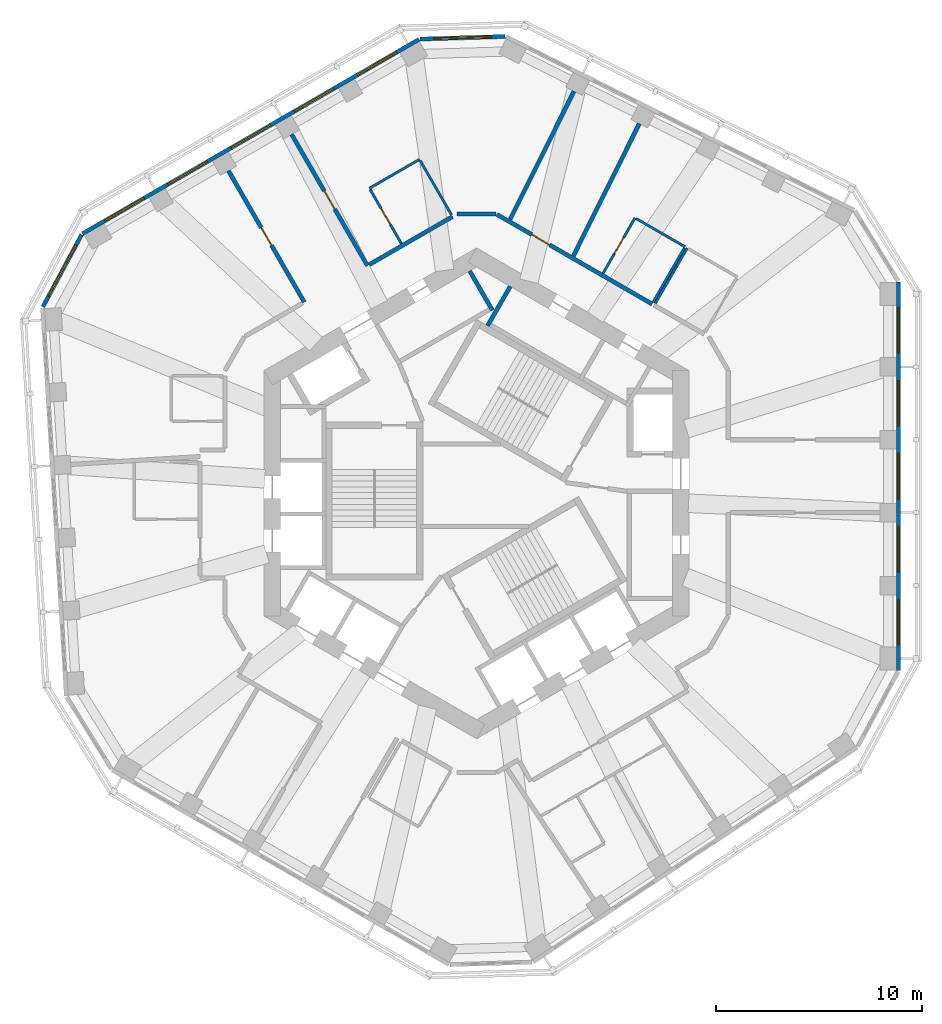
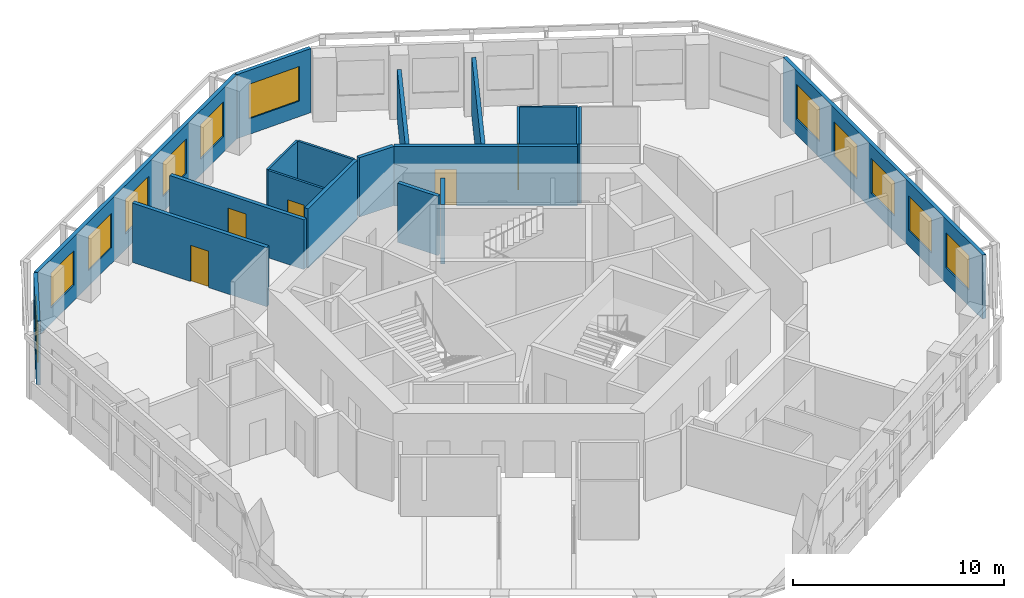
# One storey, part 7 of 11: 20 walls, 12 windows, 5 doors, 17 openings.
"""IFC4 building model written with IfcOpenShell, lengths in metres."""

from ifc_helpers import new_model, si_unit, direction, frame, frame_2d, origin, place, context, subcontext, project, spatial, rectangle, extrude, material, layer, layer_set, type_object, element, fill, save


model = new_model("IFC4")

# Units and contexts
model_context = context("Model", 3, precision=1e-05, world=origin(), true_north=direction((0.0, 1.0)))
body_context = subcontext(model_context, "Body", "Model", "MODEL_VIEW")
ifc_project = project(units=[si_unit("LENGTHUNIT", "METRE"), si_unit("AREAUNIT", "SQUARE_METRE"), si_unit("VOLUMEUNIT", "CUBIC_METRE"), si_unit("PLANEANGLEUNIT", "RADIAN"), si_unit("MASSUNIT", "GRAM", prefix="KILO")], contexts=[model_context])

# Site, building, storey
site_placement = place(None, origin())
site = spatial("IfcSite", under=ifc_project, at=site_placement, CompositionType="ELEMENT")
building_placement = place(site_placement, origin())
building = spatial("IfcBuilding", under=site, at=building_placement, Name="Vanh Sen Convention Tower", CompositionType="ELEMENT")
storey_placement = place(building_placement, frame((0.0, 0.0, 236.5)))
storey = spatial("IfcBuildingStorey", under=building, at=storey_placement, Name="L58", CompositionType="ELEMENT", Elevation=236.5)

# Wall
ifc_material_1 = material(Name="Moisture-resistant gypsum board on steel studs", Category="steel")
ifc_layer_1 = layer(ifc_material_1, 0.1201171875)
ifc_layer_set_1 = layer_set([ifc_layer_1], Name="Moisture-resistant gypsum board on steel studs")
wall_type_1 = type_object("IfcWallType", Name="Bathroom partition 120", PredefinedType="PARTITIONING", material=ifc_layer_set_1)
wall_1_placement = place(storey_placement, frame((-5.19140625, 14.78515625, 0.0), z_axis=(0.0, 0.0, 1.0), x_axis=(0.866034573852, 0.49998411664, 0.0)))
element("IfcWall", 1, at=wall_1_placement, inside=storey, type_object=wall_type_1, Name="Bathroom partition 120", PredefinedType="PARTITIONING", context=body_context, shape_type="SweptSolid", body=[
    extrude(rectangle(XDim=2.7998046875, YDim=0.1201171875, at=frame_2d((1.39990234375, 0.0))), origin(), (0.0, 0.0, 1.0), 3.419921875),
])

# Wall, opening, door
wall_2_placement = place(storey_placement, frame((-3.641357421875, 12.1005859375, 0.0), z_axis=(0.0, 0.0, 1.0), x_axis=(-0.500026023896, 0.86601037836, 0.0)))
wall_2 = element("IfcWall", 2, at=wall_2_placement, inside=storey, type_object=wall_type_1, Name="Bathroom partition 120", PredefinedType="PARTITIONING", context=body_context, shape_type="SweptSolid", body=[
    extrude(rectangle(XDim=3.039794921875, YDim=0.1201171875, at=frame_2d((1.52001953125, 0.0))), origin(), (0.0, 0.0, 1.0), 3.419921875),
])
opening_1_placement = place(wall_2_placement, frame((1.06982421875, 0.0, 0.0)))
opening_1 = element("IfcOpeningElement", 3, at=opening_1_placement, cuts=wall_2, Name="Opening D56106", PredefinedType="OPENING", context=body_context, shape_type="SweptSolid", body=[
    extrude(rectangle(XDim=0.89990234375, YDim=2.10009765625, at=frame_2d((0.449951171875, 1.050048828125))), frame((0.0, 0.070068359375, 0.0), z_axis=(0.0, -1.0, 0.0), x_axis=(1.0, 0.0, 0.0)), (0.0, 0.0, 1.0), 0.14013671875),
])
ifc_material_2 = material(Name="Laminate door in steel frame", Category="steel")
door_type_1 = type_object("IfcDoorType", Name="Room internal door 900", OperationType="SINGLE_SWING_LEFT", PredefinedType="DOOR", material=ifc_material_2)
door_1_placement = place(opening_1_placement, origin())
door_1 = element("IfcDoor", 4, at=door_1_placement, inside=storey, type_object=door_type_1, Name="Internal room door D56106", OperationType="SINGLE_SWING_LEFT", OverallHeight=2.10009765625, OverallWidth=0.89990234375, PredefinedType="DOOR", context=body_context, shape_type="SweptSolid", body=[
    extrude(rectangle(XDim=0.89990234375, YDim=2.10009765625, at=frame_2d((0.449951171875, 1.050048828125))), frame((0.0, 0.02490234375, 0.0), z_axis=(0.0, -1.0, 0.0), x_axis=(1.0, 0.0, 0.0)), (0.0, 0.0, 1.0), 0.050048828125),
])
fill(opening_1, door_1)

# Wall
wall_3_placement = place(storey_placement, frame((-2.736572265625, 16.133056640625, 0.0), z_axis=(0.0, 0.0, 1.0), x_axis=(0.500026023896, -0.86601037836, 0.0)))
element("IfcWall", 5, at=wall_3_placement, inside=storey, type_object=wall_type_1, Name="Bathroom partition 120", PredefinedType="PARTITIONING", context=body_context, shape_type="SweptSolid", body=[
    extrude(rectangle(XDim=3.039794921875, YDim=0.1201171875, at=frame_2d((1.52001953125, 0.0))), origin(), (0.0, 0.0, 1.0), 3.419921875),
])

# Wall, opening, door
wall_4_placement = place(storey_placement, frame((6.1298828125, 10.663818359375, 0.0), z_axis=(0.0, 0.0, 1.0), x_axis=(0.499967891604, 0.866043940782, 0.0)))
wall_4 = element("IfcWall", 6, at=wall_4_placement, inside=storey, type_object=wall_type_1, Name="Bathroom partition 120", PredefinedType="PARTITIONING", context=body_context, shape_type="SweptSolid", body=[
    extrude(rectangle(XDim=3.099853515625, YDim=0.1201171875, at=frame_2d((1.5498046875, 0.0))), origin(), (0.0, 0.0, 1.0), 3.419921875),
])
opening_2_placement = place(wall_4_placement, frame((1.10009765625, 0.0, 0.0)))
opening_2 = element("IfcOpeningElement", 7, at=opening_2_placement, cuts=wall_4, Name="Opening D56103", PredefinedType="OPENING", context=body_context, shape_type="SweptSolid", body=[
    extrude(rectangle(XDim=0.89990234375, YDim=2.10009765625, at=frame_2d((0.449951171875, 1.050048828125))), frame((0.0, 0.070068359375, 0.0), z_axis=(0.0, -1.0, 0.0), x_axis=(1.0, 0.0, 0.0)), (0.0, 0.0, 1.0), 0.14013671875),
])
door_2_placement = place(opening_2_placement, origin())
door_2 = element("IfcDoor", 8, at=door_2_placement, inside=storey, type_object=door_type_1, Name="Internal room door D56103", OperationType="SINGLE_SWING_LEFT", OverallHeight=2.10009765625, OverallWidth=0.89990234375, PredefinedType="DOOR", context=body_context, shape_type="SweptSolid", body=[
    extrude(rectangle(XDim=0.89990234375, YDim=2.10009765625, at=frame_2d((0.449951171875, 1.050048828125))), frame((0.0, 0.02490234375, 0.0), z_axis=(0.0, -1.0, 0.0), x_axis=(1.0, 0.0, 0.0)), (0.0, 0.0, 1.0), 0.050048828125),
])
fill(opening_2, door_2)

# Walls
wall_5_placement = place(storey_placement, frame((7.731689453125, 13.318359375, 0.0), z_axis=(0.0, 0.0, 1.0), x_axis=(0.866057988685, -0.499943557049, 0.0)))
element("IfcWall", 9, at=wall_5_placement, inside=storey, type_object=wall_type_1, Name="Bathroom partition 120", PredefinedType="PARTITIONING", context=body_context, shape_type="SweptSolid", body=[
    extrude(rectangle(XDim=2.739990234375, YDim=0.1201171875, at=frame_2d((1.3701171875, 0.0))), origin(), (0.0, 0.0, 1.0), 3.419921875),
])
wall_6_placement = place(storey_placement, frame((8.65869140625, 9.20361328125, 0.0), z_axis=(0.0, 0.0, 1.0), x_axis=(0.499933790963, 0.866063626216, 0.0)))
element("IfcWall", 10, at=wall_6_placement, inside=storey, type_object=wall_type_1, Name="Bathroom partition 120", PredefinedType="PARTITIONING", context=body_context, shape_type="SweptSolid", body=[
    extrude(rectangle(XDim=3.10009765625, YDim=0.1201171875, at=frame_2d((1.550048828125, 0.0))), origin(), (0.0, 0.0, 1.0), 3.419921875),
])
wall_7_placement = place(storey_placement, frame((10.07470703125, 11.896484375, 0.0), z_axis=(0.0, 0.0, 1.0), x_axis=(-0.499991248344, -0.866030456496, 0.0)))
element("IfcWall", 11, at=wall_7_placement, inside=storey, type_object=wall_type_1, Name="Bathroom partition 120", PredefinedType="PARTITIONING", context=body_context, shape_type="SweptSolid", body=[
    extrude(rectangle(XDim=3.0400390625, YDim=0.1201171875, at=frame_2d((1.52001953125, 0.0))), origin(), (0.0, 0.0, 1.0), 3.419921875),
])

# Wall, opening, door
ifc_material_3 = material(Name="Gypsum board on steel studs with mineral wool", Category="steel")
ifc_layer_2 = layer(ifc_material_3, 0.199951171875)
ifc_layer_set_2 = layer_set([ifc_layer_2], Name="Gypsum board on steel studs with mineral wool")
wall_type_2 = type_object("IfcWallType", Name="Corridor partition wall 200", PredefinedType="PARTITIONING", material=ifc_layer_set_2)
wall_8_placement = place(storey_placement, frame((-12.02490234375, 15.6318359375, 0.0), z_axis=(0.0, 0.0, 1.0), x_axis=(0.499983153418, -0.866035129944, 0.0)))
wall_8 = element("IfcWall", 12, at=wall_8_placement, inside=storey, type_object=wall_type_2, Name="Corridor partition wall 200", PredefinedType="PARTITIONING", context=body_context, shape_type="SweptSolid", body=[
    extrude(rectangle(XDim=7.349853515625, YDim=0.199951171875, at=frame_2d((3.6748046875, 0.0))), origin(), (0.0, 0.0, 1.0), 3.419921875),
])
opening_3_placement = place(wall_8_placement, frame((3.175048828125, 0.0, 0.0)))
opening_3 = element("IfcOpeningElement", 13, at=opening_3_placement, cuts=wall_8, Name="Opening D56107", PredefinedType="OPENING", context=body_context, shape_type="SweptSolid", body=[
    extrude(rectangle(XDim=1.0, YDim=2.10009765625, at=frame_2d((0.5, 1.050048828125))), frame((0.0, 0.10986328125, 0.0), z_axis=(0.0, -1.0, 0.0), x_axis=(1.0, 0.0, 0.0)), (0.0, 0.0, 1.0), 0.219970703125),
])
ifc_material_4 = material(Name="Glazed fire door in steel frame", Category="steel")
door_type_2 = type_object("IfcDoorType", Name="Tenant entrance door 1000", OperationType="SINGLE_SWING_LEFT", PredefinedType="DOOR", material=ifc_material_4)
door_3_placement = place(opening_3_placement, origin())
door_3 = element("IfcDoor", 14, at=door_3_placement, inside=storey, type_object=door_type_2, Name="Tenant suite entrance door D56107", OperationType="SINGLE_SWING_LEFT", OverallHeight=2.10009765625, OverallWidth=1.0, PredefinedType="DOOR", context=body_context, shape_type="SweptSolid", body=[
    extrude(rectangle(XDim=1.0, YDim=2.10009765625, at=frame_2d((0.5, 1.050048828125))), frame((0.0, 0.02490234375, 0.0), z_axis=(0.0, -1.0, 0.0), x_axis=(1.0, 0.0, 0.0)), (0.0, 0.0, 1.0), 0.050048828125),
])
fill(opening_3, door_3)

wall_9_placement = place(storey_placement, frame((-8.96484375, 17.398681640625, 0.0), z_axis=(0.0, 0.0, 1.0), x_axis=(0.499993683172, -0.866029050776, 0.0)))
wall_9 = element("IfcWall", 15, at=wall_9_placement, inside=storey, type_object=wall_type_2, Name="Corridor partition wall 200", PredefinedType="PARTITIONING", context=body_context, shape_type="SweptSolid", body=[
    extrude(rectangle(XDim=7.35009765625, YDim=0.199951171875, at=frame_2d((3.675048828125, 0.0))), origin(), (0.0, 0.0, 1.0), 2.8701171875),
])
opening_4_placement = place(wall_9_placement, frame((3.175048828125, 0.0, 0.0)))
opening_4 = element("IfcOpeningElement", 16, at=opening_4_placement, cuts=wall_9, Name="Opening D56105", PredefinedType="OPENING", context=body_context, shape_type="SweptSolid", body=[
    extrude(rectangle(XDim=1.0, YDim=2.10009765625, at=frame_2d((0.5, 1.050048828125))), frame((0.0, 0.10986328125, 0.0), z_axis=(0.0, -1.0, 0.0), x_axis=(1.0, 0.0, 0.0)), (0.0, 0.0, 1.0), 0.219970703125),
])
door_4_placement = place(opening_4_placement, origin())
door_4 = element("IfcDoor", 17, at=door_4_placement, inside=storey, type_object=door_type_2, Name="Tenant suite entrance door D56105", OperationType="SINGLE_SWING_LEFT", OverallHeight=2.10009765625, OverallWidth=1.0, PredefinedType="DOOR", context=body_context, shape_type="SweptSolid", body=[
    extrude(rectangle(XDim=1.0, YDim=2.10009765625, at=frame_2d((0.5, 1.050048828125))), frame((0.0, 0.02490234375, 0.0), z_axis=(0.0, -1.0, 0.0), x_axis=(1.0, 0.0, 0.0)), (0.0, 0.0, 1.0), 0.050048828125),
])
fill(opening_4, door_4)

# Walls
wall_10_placement = place(storey_placement, frame((-1.16650390625, 13.413818359375, 0.0), z_axis=(0.0, 0.0, 1.0), x_axis=(-0.866023347809, -0.500003561037, 0.0)))
element("IfcWall", 18, at=wall_10_placement, inside=storey, type_object=wall_type_2, Name="Corridor partition wall 200", PredefinedType="PARTITIONING", context=body_context, shape_type="SweptSolid", body=[
    extrude(rectangle(XDim=4.6611328125, YDim=0.199951171875, at=frame_2d((2.33056640625, 0.0))), origin(), (0.0, 0.0, 1.0), 3.419921875),
])
wall_11_placement = place(storey_placement, frame((0.949951171875, 13.538818359375, 0.0), z_axis=(0.0, 0.0, 1.0), x_axis=(-1.0, 0.0, 0.0)))
element("IfcWall", 19, at=wall_11_placement, inside=storey, type_object=wall_type_2, Name="Corridor partition wall 200", PredefinedType="PARTITIONING", context=body_context, shape_type="SweptSolid", body=[
    extrude(rectangle(XDim=1.89990234375, YDim=0.199951171875, at=frame_2d((0.949951171875, 0.0))), origin(), (0.0, 0.0, 1.0), 3.419921875),
])

# Wall, opening, door
wall_12_placement = place(storey_placement, frame((8.504638671875, 9.177001953125, 0.0), z_axis=(0.0, 0.0, 1.0), x_axis=(-0.866019839902, 0.500009636803, 0.0)))
wall_12 = element("IfcWall", 20, at=wall_12_placement, inside=storey, type_object=wall_type_2, Name="Corridor partition wall 200", PredefinedType="PARTITIONING", context=body_context, shape_type="SweptSolid", body=[
    extrude(rectangle(XDim=8.683349609375, YDim=0.199951171875, at=frame_2d((4.341796875, 0.0))), origin(), (0.0, 0.0, 1.0), 3.419921875),
])
opening_5_placement = place(wall_12_placement, frame((5.730224609375, 0.0, 0.0)))
opening_5 = element("IfcOpeningElement", 21, at=opening_5_placement, cuts=wall_12, Name="Opening D56104", PredefinedType="OPENING", context=body_context, shape_type="SweptSolid", body=[
    extrude(rectangle(XDim=1.0, YDim=2.10009765625, at=frame_2d((0.5, 1.050048828125))), frame((0.0, 0.10986328125, 0.0), z_axis=(0.0, -1.0, 0.0), x_axis=(1.0, 0.0, 0.0)), (0.0, 0.0, 1.0), 0.219970703125),
])
door_5_placement = place(opening_5_placement, origin())
door_5 = element("IfcDoor", 22, at=door_5_placement, inside=storey, type_object=door_type_2, Name="Tenant suite entrance door D56104", OperationType="SINGLE_SWING_LEFT", OverallHeight=2.10009765625, OverallWidth=1.0, PredefinedType="DOOR", context=body_context, shape_type="SweptSolid", body=[
    extrude(rectangle(XDim=1.0, YDim=2.10009765625, at=frame_2d((0.5, 1.050048828125))), frame((0.0, 0.02490234375, 0.0), z_axis=(0.0, -1.0, 0.0), x_axis=(1.0, 0.0, 0.0)), (0.0, 0.0, 1.0), 0.050048828125),
])
fill(opening_5, door_5)

# Wall, openings, windows
ifc_material_5 = material(Name="Insulated lightweight infill wall")
ifc_layer_3 = layer(ifc_material_5, 0.199951171875)
ifc_layer_set_3 = layer_set([ifc_layer_3], Name="Insulated lightweight infill wall")
wall_type_3 = type_object("IfcWallType", Name="External wall 200", PredefinedType="STANDARD", material=ifc_layer_set_3)
wall_13_placement = place(storey_placement, frame((20.449951171875, -8.590087890625, 0.0), z_axis=(0.0, 0.0, 1.0), x_axis=(0.0, 1.0, 0.0)))
wall_13 = element("IfcWall", 23, at=wall_13_placement, inside=storey, type_object=wall_type_3, Name="External wall E L58", PredefinedType="STANDARD", context=body_context, shape_type="SweptSolid", body=[
    extrude(rectangle(XDim=18.84130859375, YDim=0.199951171875, at=frame_2d((9.420654296875, 0.0))), origin(), (0.0, 0.0, 1.0), 3.699951171875),
])
opening_6_placement = place(wall_13_placement, frame((1.254150390625, 0.0, 0.89990234375)))
opening_6 = element("IfcOpeningElement", 24, at=opening_6_placement, cuts=wall_13, Name="Opening WO3-E1", PredefinedType="OPENING", context=body_context, shape_type="SweptSolid", body=[
    extrude(rectangle(XDim=2.199951171875, YDim=2.0, at=frame_2d((1.10009765625, 1.0))), frame((0.0, 0.10986328125, 0.0), z_axis=(0.0, -1.0, 0.0), x_axis=(1.0, 0.0, 0.0)), (0.0, 0.0, 1.0), 0.219970703125),
])
opening_7_placement = place(wall_13_placement, frame((4.787841796875, 0.0, 0.89990234375)))
opening_7 = element("IfcOpeningElement", 25, at=opening_7_placement, cuts=wall_13, Name="Opening WO3-E2", PredefinedType="OPENING", context=body_context, shape_type="SweptSolid", body=[
    extrude(rectangle(XDim=2.199951171875, YDim=2.0, at=frame_2d((1.10009765625, 1.0))), frame((0.0, 0.10986328125, 0.0), z_axis=(0.0, -1.0, 0.0), x_axis=(1.0, 0.0, 0.0)), (0.0, 0.0, 1.0), 0.219970703125),
])
opening_8_placement = place(wall_13_placement, frame((8.321533203125, 0.0, 0.89990234375)))
opening_8 = element("IfcOpeningElement", 26, at=opening_8_placement, cuts=wall_13, Name="Opening WO3-E3", PredefinedType="OPENING", context=body_context, shape_type="SweptSolid", body=[
    extrude(rectangle(XDim=2.199951171875, YDim=2.0, at=frame_2d((1.10009765625, 1.0))), frame((0.0, 0.10986328125, 0.0), z_axis=(0.0, -1.0, 0.0), x_axis=(1.0, 0.0, 0.0)), (0.0, 0.0, 1.0), 0.219970703125),
])
opening_9_placement = place(wall_13_placement, frame((11.85498046875, 0.0, 0.89990234375)))
opening_9 = element("IfcOpeningElement", 27, at=opening_9_placement, cuts=wall_13, Name="Opening WO3-E4", PredefinedType="OPENING", context=body_context, shape_type="SweptSolid", body=[
    extrude(rectangle(XDim=2.199951171875, YDim=2.0, at=frame_2d((1.10009765625, 1.0))), frame((0.0, 0.10986328125, 0.0), z_axis=(0.0, -1.0, 0.0), x_axis=(1.0, 0.0, 0.0)), (0.0, 0.0, 1.0), 0.219970703125),
])
opening_10_placement = place(wall_13_placement, frame((15.388671875, 0.0, 0.89990234375)))
opening_10 = element("IfcOpeningElement", 28, at=opening_10_placement, cuts=wall_13, Name="Opening WO3-E5", PredefinedType="OPENING", context=body_context, shape_type="SweptSolid", body=[
    extrude(rectangle(XDim=2.199951171875, YDim=2.0, at=frame_2d((1.10009765625, 1.0))), frame((0.0, 0.10986328125, 0.0), z_axis=(0.0, -1.0, 0.0), x_axis=(1.0, 0.0, 0.0)), (0.0, 0.0, 1.0), 0.219970703125),
])
ifc_material_6 = material(Name="Aluminium frame with clear low-emissivity glass", Category="aluminium")
window_type_1 = type_object("IfcWindowType", Name="Office window 2200 x 2000", PartitioningType="SINGLE_PANEL", PredefinedType="WINDOW", material=ifc_material_6)
window_1_placement = place(opening_6_placement, origin())
window_1 = element("IfcWindow", 29, at=window_1_placement, inside=storey, type_object=window_type_1, Name="Window WO3-E1", OverallHeight=2.0, OverallWidth=2.199951171875, PartitioningType="SINGLE_PANEL", PredefinedType="WINDOW", context=body_context, shape_type="SweptSolid", body=[
    extrude(rectangle(XDim=2.199951171875, YDim=2.0, at=frame_2d((1.10009765625, 1.0))), frame((0.0, 0.030029296875, 0.0), z_axis=(0.0, -1.0, 0.0), x_axis=(1.0, 0.0, 0.0)), (0.0, 0.0, 1.0), 0.06005859375),
])
fill(opening_6, window_1)
window_2_placement = place(opening_7_placement, origin())
window_2 = element("IfcWindow", 30, at=window_2_placement, inside=storey, type_object=window_type_1, Name="Window WO3-E2", OverallHeight=2.0, OverallWidth=2.199951171875, PartitioningType="SINGLE_PANEL", PredefinedType="WINDOW", context=body_context, shape_type="SweptSolid", body=[
    extrude(rectangle(XDim=2.199951171875, YDim=2.0, at=frame_2d((1.10009765625, 1.0))), frame((0.0, 0.030029296875, 0.0), z_axis=(0.0, -1.0, 0.0), x_axis=(1.0, 0.0, 0.0)), (0.0, 0.0, 1.0), 0.06005859375),
])
fill(opening_7, window_2)
window_3_placement = place(opening_8_placement, origin())
window_3 = element("IfcWindow", 31, at=window_3_placement, inside=storey, type_object=window_type_1, Name="Window WO3-E3", OverallHeight=2.0, OverallWidth=2.199951171875, PartitioningType="SINGLE_PANEL", PredefinedType="WINDOW", context=body_context, shape_type="SweptSolid", body=[
    extrude(rectangle(XDim=2.199951171875, YDim=2.0, at=frame_2d((1.10009765625, 1.0))), frame((0.0, 0.030029296875, 0.0), z_axis=(0.0, -1.0, 0.0), x_axis=(1.0, 0.0, 0.0)), (0.0, 0.0, 1.0), 0.06005859375),
])
fill(opening_8, window_3)
window_4_placement = place(opening_9_placement, origin())
window_4 = element("IfcWindow", 32, at=window_4_placement, inside=storey, type_object=window_type_1, Name="Window WO3-E4", OverallHeight=2.0, OverallWidth=2.199951171875, PartitioningType="SINGLE_PANEL", PredefinedType="WINDOW", context=body_context, shape_type="SweptSolid", body=[
    extrude(rectangle(XDim=2.199951171875, YDim=2.0, at=frame_2d((1.10009765625, 1.0))), frame((0.0, 0.030029296875, 0.0), z_axis=(0.0, -1.0, 0.0), x_axis=(1.0, 0.0, 0.0)), (0.0, 0.0, 1.0), 0.06005859375),
])
fill(opening_9, window_4)
window_5_placement = place(opening_10_placement, origin())
window_5 = element("IfcWindow", 33, at=window_5_placement, inside=storey, type_object=window_type_1, Name="Window WO3-E5", OverallHeight=2.0, OverallWidth=2.199951171875, PartitioningType="SINGLE_PANEL", PredefinedType="WINDOW", context=body_context, shape_type="SweptSolid", body=[
    extrude(rectangle(XDim=2.199951171875, YDim=2.0, at=frame_2d((1.10009765625, 1.0))), frame((0.0, 0.030029296875, 0.0), z_axis=(0.0, -1.0, 0.0), x_axis=(1.0, 0.0, 0.0)), (0.0, 0.0, 1.0), 0.06005859375),
])
fill(opening_10, window_5)

# Wall, opening, window
wall_14_placement = place(storey_placement, frame((1.389404296875, 22.144775390625, 0.0), z_axis=(0.0, 0.0, 1.0), x_axis=(-0.999534702881, -0.030502093955, 0.0)))
wall_14 = element("IfcWall", 34, at=wall_14_placement, inside=storey, type_object=wall_type_3, Name="External wall CH2 L58", PredefinedType="STANDARD", context=body_context, shape_type="SweptSolid", body=[
    extrude(rectangle(XDim=4.130126953125, YDim=0.199951171875, at=frame_2d((2.06494140625, 0.0))), origin(), (0.0, 0.0, 1.0), 3.699951171875),
])
opening_11_placement = place(wall_14_placement, frame((0.6650390625, 0.0, 0.89990234375)))
opening_11 = element("IfcOpeningElement", 35, at=opening_11_placement, cuts=wall_14, Name="Opening WO4-CH21", PredefinedType="OPENING", context=body_context, shape_type="SweptSolid", body=[
    extrude(rectangle(XDim=2.800048828125, YDim=2.0, at=frame_2d((1.39990234375, 1.0))), frame((0.0, 0.10986328125, 0.0), z_axis=(0.0, -1.0, 0.0), x_axis=(1.0, 0.0, 0.0)), (0.0, 0.0, 1.0), 0.219970703125),
])
window_type_2 = type_object("IfcWindowType", Name="Office window 2800 x 2000", PartitioningType="SINGLE_PANEL", PredefinedType="WINDOW", material=ifc_material_6)
window_6_placement = place(opening_11_placement, origin())
window_6 = element("IfcWindow", 36, at=window_6_placement, inside=storey, type_object=window_type_2, Name="Window WO4-CH21", OverallHeight=2.0, OverallWidth=2.800048828125, PartitioningType="SINGLE_PANEL", PredefinedType="WINDOW", context=body_context, shape_type="SweptSolid", body=[
    extrude(rectangle(XDim=2.800048828125, YDim=2.0, at=frame_2d((1.39990234375, 1.0))), frame((0.0, 0.030029296875, 0.0), z_axis=(0.0, -1.0, 0.0), x_axis=(1.0, 0.0, 0.0)), (0.0, 0.0, 1.0), 0.06005859375),
])
fill(opening_11, window_6)

# Wall, openings, windows
wall_15_placement = place(storey_placement, frame((-2.78564453125, 22.00537109375, 0.0), z_axis=(0.0, 0.0, 1.0), x_axis=(-0.866026555358, -0.49999800541, 0.0)))
wall_15 = element("IfcWall", 37, at=wall_15_placement, inside=storey, type_object=wall_type_3, Name="External wall NW L58", PredefinedType="STANDARD", context=body_context, shape_type="SweptSolid", body=[
    extrude(rectangle(XDim=18.84130859375, YDim=0.199951171875, at=frame_2d((9.420654296875, 0.0))), origin(), (0.0, 0.0, 1.0), 3.699951171875),
])
opening_12_placement = place(wall_15_placement, frame((1.254150390625, 0.0, 0.89990234375)))
opening_12 = element("IfcOpeningElement", 38, at=opening_12_placement, cuts=wall_15, Name="Opening WO3-NW1", PredefinedType="OPENING", context=body_context, shape_type="SweptSolid", body=[
    extrude(rectangle(XDim=2.199951171875, YDim=2.0, at=frame_2d((1.10009765625, 1.0))), frame((0.0, 0.10986328125, 0.0), z_axis=(0.0, -1.0, 0.0), x_axis=(1.0, 0.0, 0.0)), (0.0, 0.0, 1.0), 0.219970703125),
])
opening_13_placement = place(wall_15_placement, frame((4.787841796875, 0.0, 0.89990234375)))
opening_13 = element("IfcOpeningElement", 39, at=opening_13_placement, cuts=wall_15, Name="Opening WO3-NW2", PredefinedType="OPENING", context=body_context, shape_type="SweptSolid", body=[
    extrude(rectangle(XDim=2.199951171875, YDim=2.0, at=frame_2d((1.10009765625, 1.0))), frame((0.0, 0.10986328125, 0.0), z_axis=(0.0, -1.0, 0.0), x_axis=(1.0, 0.0, 0.0)), (0.0, 0.0, 1.0), 0.219970703125),
])
opening_14_placement = place(wall_15_placement, frame((8.3212890625, 0.0, 0.89990234375)))
opening_14 = element("IfcOpeningElement", 40, at=opening_14_placement, cuts=wall_15, Name="Opening WO3-NW3", PredefinedType="OPENING", context=body_context, shape_type="SweptSolid", body=[
    extrude(rectangle(XDim=2.199951171875, YDim=2.0, at=frame_2d((1.10009765625, 1.0))), frame((0.0, 0.10986328125, 0.0), z_axis=(0.0, -1.0, 0.0), x_axis=(1.0, 0.0, 0.0)), (0.0, 0.0, 1.0), 0.219970703125),
])
opening_15_placement = place(wall_15_placement, frame((11.85498046875, 0.0, 0.89990234375)))
opening_15 = element("IfcOpeningElement", 41, at=opening_15_placement, cuts=wall_15, Name="Opening WO3-NW4", PredefinedType="OPENING", context=body_context, shape_type="SweptSolid", body=[
    extrude(rectangle(XDim=2.199951171875, YDim=2.0, at=frame_2d((1.10009765625, 1.0))), frame((0.0, 0.10986328125, 0.0), z_axis=(0.0, -1.0, 0.0), x_axis=(1.0, 0.0, 0.0)), (0.0, 0.0, 1.0), 0.219970703125),
])
opening_16_placement = place(wall_15_placement, frame((15.388671875, 0.0, 0.89990234375)))
opening_16 = element("IfcOpeningElement", 42, at=opening_16_placement, cuts=wall_15, Name="Opening WO3-NW5", PredefinedType="OPENING", context=body_context, shape_type="SweptSolid", body=[
    extrude(rectangle(XDim=2.199951171875, YDim=2.0, at=frame_2d((1.10009765625, 1.0))), frame((0.0, 0.10986328125, 0.0), z_axis=(0.0, -1.0, 0.0), x_axis=(1.0, 0.0, 0.0)), (0.0, 0.0, 1.0), 0.219970703125),
])
window_7_placement = place(opening_12_placement, origin())
window_7 = element("IfcWindow", 43, at=window_7_placement, inside=storey, type_object=window_type_1, Name="Window WO3-NW1", OverallHeight=2.0, OverallWidth=2.199951171875, PartitioningType="SINGLE_PANEL", PredefinedType="WINDOW", context=body_context, shape_type="SweptSolid", body=[
    extrude(rectangle(XDim=2.199951171875, YDim=2.0, at=frame_2d((1.10009765625, 1.0))), frame((0.0, 0.030029296875, 0.0), z_axis=(0.0, -1.0, 0.0), x_axis=(1.0, 0.0, 0.0)), (0.0, 0.0, 1.0), 0.06005859375),
])
fill(opening_12, window_7)
window_8_placement = place(opening_13_placement, origin())
window_8 = element("IfcWindow", 44, at=window_8_placement, inside=storey, type_object=window_type_1, Name="Window WO3-NW2", OverallHeight=2.0, OverallWidth=2.199951171875, PartitioningType="SINGLE_PANEL", PredefinedType="WINDOW", context=body_context, shape_type="SweptSolid", body=[
    extrude(rectangle(XDim=2.199951171875, YDim=2.0, at=frame_2d((1.10009765625, 1.0))), frame((0.0, 0.030029296875, 0.0), z_axis=(0.0, -1.0, 0.0), x_axis=(1.0, 0.0, 0.0)), (0.0, 0.0, 1.0), 0.06005859375),
])
fill(opening_13, window_8)
window_9_placement = place(opening_14_placement, origin())
window_9 = element("IfcWindow", 45, at=window_9_placement, inside=storey, type_object=window_type_1, Name="Window WO3-NW3", OverallHeight=2.0, OverallWidth=2.199951171875, PartitioningType="SINGLE_PANEL", PredefinedType="WINDOW", context=body_context, shape_type="SweptSolid", body=[
    extrude(rectangle(XDim=2.199951171875, YDim=2.0, at=frame_2d((1.10009765625, 1.0))), frame((0.0, 0.030029296875, 0.0), z_axis=(0.0, -1.0, 0.0), x_axis=(1.0, 0.0, 0.0)), (0.0, 0.0, 1.0), 0.06005859375),
])
fill(opening_14, window_9)
window_10_placement = place(opening_15_placement, origin())
window_10 = element("IfcWindow", 46, at=window_10_placement, inside=storey, type_object=window_type_1, Name="Window WO3-NW4", OverallHeight=2.0, OverallWidth=2.199951171875, PartitioningType="SINGLE_PANEL", PredefinedType="WINDOW", context=body_context, shape_type="SweptSolid", body=[
    extrude(rectangle(XDim=2.199951171875, YDim=2.0, at=frame_2d((1.10009765625, 1.0))), frame((0.0, 0.030029296875, 0.0), z_axis=(0.0, -1.0, 0.0), x_axis=(1.0, 0.0, 0.0)), (0.0, 0.0, 1.0), 0.06005859375),
])
fill(opening_15, window_10)
window_11_placement = place(opening_16_placement, origin())
window_11 = element("IfcWindow", 47, at=window_11_placement, inside=storey, type_object=window_type_1, Name="Window WO3-NW5", OverallHeight=2.0, OverallWidth=2.199951171875, PartitioningType="SINGLE_PANEL", PredefinedType="WINDOW", context=body_context, shape_type="SweptSolid", body=[
    extrude(rectangle(XDim=2.199951171875, YDim=2.0, at=frame_2d((1.10009765625, 1.0))), frame((0.0, 0.030029296875, 0.0), z_axis=(0.0, -1.0, 0.0), x_axis=(1.0, 0.0, 0.0)), (0.0, 0.0, 1.0), 0.06005859375),
])
fill(opening_16, window_11)

# Wall, opening, window
wall_16_placement = place(storey_placement, frame((-19.140869140625, 12.54541015625, 0.0), z_axis=(0.0, 0.0, 1.0), x_axis=(-0.473306370921, -0.880897882416, 0.0)))
wall_16 = element("IfcWall", 48, at=wall_16_placement, inside=storey, type_object=wall_type_3, Name="External wall CH3 L58", PredefinedType="STANDARD", context=body_context, shape_type="SweptSolid", body=[
    extrude(rectangle(XDim=3.982666015625, YDim=0.199951171875, at=frame_2d((1.9912109375, 0.0))), origin(), (0.0, 0.0, 1.0), 3.699951171875),
])
opening_17_placement = place(wall_16_placement, frame((0.59130859375, 0.0, 0.89990234375)))
opening_17 = element("IfcOpeningElement", 49, at=opening_17_placement, cuts=wall_16, Name="Opening WO4-CH31", PredefinedType="OPENING", context=body_context, shape_type="SweptSolid", body=[
    extrude(rectangle(XDim=2.800048828125, YDim=2.0, at=frame_2d((1.39990234375, 1.0))), frame((0.0, 0.10986328125, 0.0), z_axis=(0.0, -1.0, 0.0), x_axis=(1.0, 0.0, 0.0)), (0.0, 0.0, 1.0), 0.219970703125),
])
window_12_placement = place(opening_17_placement, origin())
window_12 = element("IfcWindow", 50, at=window_12_placement, inside=storey, type_object=window_type_2, Name="Window WO4-CH31", OverallHeight=2.0, OverallWidth=2.800048828125, PartitioningType="SINGLE_PANEL", PredefinedType="WINDOW", context=body_context, shape_type="SweptSolid", body=[
    extrude(rectangle(XDim=2.800048828125, YDim=2.0, at=frame_2d((1.39990234375, 1.0))), frame((0.0, 0.030029296875, 0.0), z_axis=(0.0, -1.0, 0.0), x_axis=(1.0, 0.0, 0.0)), (0.0, 0.0, 1.0), 0.06005859375),
])
fill(opening_17, window_12)

# Walls
ifc_material_7 = material(Name="Concrete C40/50", Category="concrete")
ifc_layer_4 = layer(ifc_material_7, 0.199951171875)
ifc_layer_set_4 = layer_set([ifc_layer_4], Name="Concrete C40/50")
wall_type_4 = type_object("IfcWallType", Name="Lift shaft wall 200", PredefinedType="PARTITIONING", material=ifc_layer_set_4)
wall_17_placement = place(storey_placement, frame((0.5322265625, 8.1220703125, 0.0), z_axis=(0.0, 0.0, 1.0), x_axis=(0.500077893725, 0.86598042715, 0.0)))
element("IfcWall", 51, at=wall_17_placement, inside=storey, type_object=wall_type_4, Name="Lift shaft wall L58", PredefinedType="PARTITIONING", context=body_context, shape_type="SweptSolid", body=[
    extrude(rectangle(XDim=2.199951171875, YDim=0.199951171875, at=frame_2d((1.10009765625, 0.0))), origin(), (0.0, 0.0, 1.0), 3.419921875),
])
wall_18_placement = place(storey_placement, frame((0.7666015625, 8.8720703125, 0.0), z_axis=(0.0, 0.0, 1.0), x_axis=(-0.499994660107, 0.866028486751, 0.0)))
element("IfcWall", 52, at=wall_18_placement, inside=storey, type_object=wall_type_4, Name="Lift shaft wall L58", PredefinedType="PARTITIONING", context=body_context, shape_type="SweptSolid", body=[
    extrude(rectangle(XDim=2.19970703125, YDim=0.199951171875, at=frame_2d((1.099853515625, 0.0))), origin(), (0.0, 0.0, 1.0), 3.419921875),
])
ifc_layer_5 = layer(ifc_material_3, 0.199951171875)
ifc_layer_set_5 = layer_set([ifc_layer_5], Name="Gypsum board on steel studs with mineral wool")
wall_type_5 = type_object("IfcWallType", Name="Tenant suite wall 200", PredefinedType="PARTITIONING", material=ifc_layer_set_5)
wall_19_placement = place(storey_placement, frame((4.723388671875, 19.489990234375, 0.0), z_axis=(0.0, 0.0, 1.0), x_axis=(-0.446186614574, -0.894939944898, 0.0)))
element("IfcWall", 53, at=wall_19_placement, inside=storey, type_object=wall_type_5, Name="Tenant suite wall 200", PredefinedType="PARTITIONING", context=body_context, shape_type="SweptSolid", body=[
    extrude(rectangle(XDim=6.943603515625, YDim=0.199951171875, at=frame_2d((3.4716796875, 0.0))), origin(), (0.0, 0.0, 1.0), 2.8701171875),
])
wall_20_placement = place(storey_placement, frame((7.885986328125, 17.913330078125, 0.0), z_axis=(0.0, 0.0, 1.0), x_axis=(-0.446204015428, -0.894931269213, 0.0)))
element("IfcWall", 54, at=wall_20_placement, inside=storey, type_object=wall_type_5, Name="Tenant suite wall 200", PredefinedType="PARTITIONING", context=body_context, shape_type="SweptSolid", body=[
    extrude(rectangle(XDim=7.159912109375, YDim=0.199951171875, at=frame_2d((3.580078125, 0.0))), origin(), (0.0, 0.0, 1.0), 3.419921875),
])

save(model, "model.ifc")
